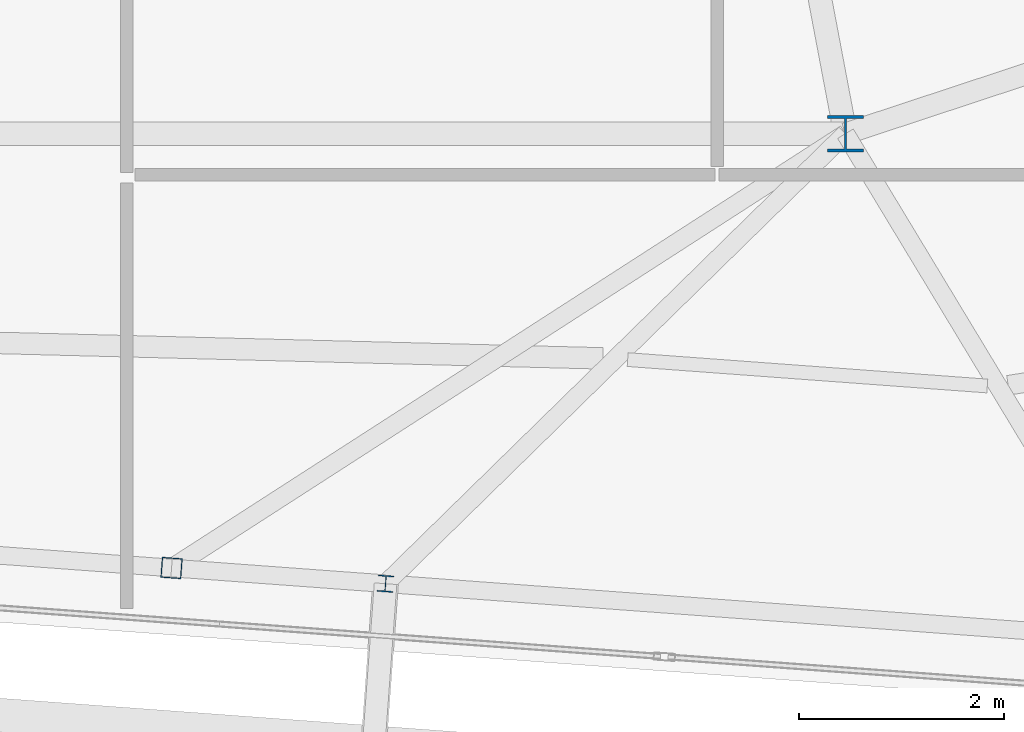
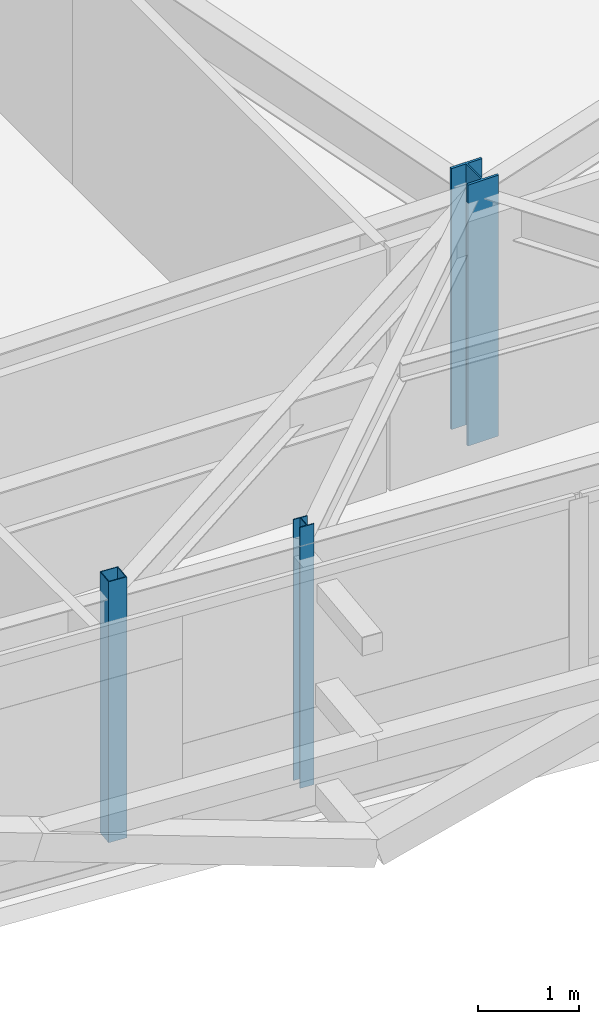
# One storey, part 2 of 34: 3 columns.
"""IFC4 building model written with IfcOpenShell, lengths in metres."""

import ifcopenshell
import ifcopenshell.guid

model = None  # the IFC model being written
_history = None  # IfcOwnerHistory: only IFC2X3 demands one
_inside = {}  # id of a spatial element -> (the spatial element, [elements in it])
_under = {}  # id of a project, library or spatial element -> (it, [spatial elements below it])
_declared = {}  # id of a project -> (the project, [libraries it declares])
_typed = {}  # id of a type object -> (the type object, [elements of that type])
_made_of = {}  # id of a material, layer set ... -> (it, [elements and type objects made of it])


def new_model(schema):
    """Start an empty IFC model of exactly this schema.

    Asked for "IFC4X3", IfcOpenShell would pick the latest addendum, in which some entities
    have other attributes; the version numbers below select the first issue.
    IFC2X3 requires an IfcOwnerHistory on every rooted entity: one is made here for all.
    """
    global model, _history
    if schema == "IFC4X3":
        model = ifcopenshell.file(schema_version=(4, 3, 0, 0))
    else:
        model = ifcopenshell.file(schema=schema)
    _inside.clear()
    _under.clear()
    _declared.clear()
    _typed.clear()
    _made_of.clear()
    _history = None
    if model.schema == "IFC2X3":
        org = make("IfcOrganization", Name="unknown")
        user = make(
            "IfcPersonAndOrganization",
            ThePerson=make("IfcPerson", FamilyName="unknown"),
            TheOrganization=org,
        )
        app = make(
            "IfcApplication",
            ApplicationDeveloper=org,
            Version="unknown",
            ApplicationFullName="unknown",
            ApplicationIdentifier="unknown",
        )
        _history = make(
            "IfcOwnerHistory",
            OwningUser=user,
            OwningApplication=app,
            ChangeAction="ADDED",
            CreationDate=0,
        )
    return model


def make(cls, **values):
    """One entity of the class cls with the attributes given. An attribute that is None is left unset."""
    return model.create_entity(
        cls, **{name: value for name, value in values.items() if value is not None}
    )


def rooted(cls, **values):
    """An entity with a GlobalId (a new one), such as an element, a storey or a relation."""
    return make(cls, GlobalId=ifcopenshell.guid.new(), OwnerHistory=_history, **values)


def si_unit(unit_type, name, prefix=None):
    """IfcSIUnit, for example si_unit("LENGTHUNIT", "METRE", prefix="MILLI")."""
    return make("IfcSIUnit", UnitType=unit_type, Prefix=prefix, Name=name)


def assignment(units):
    """IfcUnitAssignment: the units of a project."""
    return None if units is None else make("IfcUnitAssignment", Units=units)


def point(xyz):
    """IfcCartesianPoint."""
    return None if xyz is None else make("IfcCartesianPoint", Coordinates=xyz)


def direction(xyz):
    """IfcDirection."""
    return None if xyz is None else make("IfcDirection", DirectionRatios=xyz)


def frame(location, z_axis=None, x_axis=None):
    """IfcAxis2Placement3D, a coordinate frame: its origin and axes. An axis left out is left unset."""
    return make(
        "IfcAxis2Placement3D",
        Location=point(location),
        Axis=direction(z_axis),
        RefDirection=direction(x_axis),
    )


def frame_2d(location, x_axis=None):
    """IfcAxis2Placement2D, a coordinate frame in the plane: its origin and x axis."""
    return make(
        "IfcAxis2Placement2D", Location=point(location), RefDirection=direction(x_axis)
    )


def origin():
    """The frame at (0, 0, 0) with its axes left unset."""
    return frame((0.0, 0.0, 0.0))


def origin_2d():
    """The frame at (0, 0) in the plane with its x axis left unset."""
    return frame_2d((0.0, 0.0))


def place(relative_to, where):
    """IfcLocalPlacement: puts the frame where relative to a parent placement (None: the world)."""
    return make(
        "IfcLocalPlacement", PlacementRelTo=relative_to, RelativePlacement=where
    )


def context(
    kind, dimensions, precision=None, world=None, true_north=None, identifier=None
):
    """IfcGeometricRepresentationContext, for example the 3D "Model" context."""
    return make(
        "IfcGeometricRepresentationContext",
        ContextIdentifier=identifier,
        ContextType=kind,
        CoordinateSpaceDimension=dimensions,
        Precision=precision,
        WorldCoordinateSystem=world,
        TrueNorth=true_north,
    )


def subcontext(parent, identifier, kind, view, scale=None):
    """IfcGeometricRepresentationSubContext, for example "Body" below "Model"."""
    return make(
        "IfcGeometricRepresentationSubContext",
        ContextIdentifier=identifier,
        ContextType=kind,
        ParentContext=parent,
        TargetScale=scale,
        TargetView=view,
    )


def project(units=None, contexts=None):
    """IfcProject with its units and contexts."""
    return rooted(
        "IfcProject",
        Name="project",
        RepresentationContexts=contexts,
        UnitsInContext=assignment(units),
    )


def spatial(cls, under=None, at=None, **own):
    """A site, building, storey or space (cls), placed at a placement, below another one or the project."""
    s = rooted(cls, ObjectPlacement=at, **own)
    if under is not None:
        _under.setdefault(under.id(), (under, []))[1].append(s)
    return s


def profile(cls, at=None, kind="AREA", **sizes):
    """A parametric profile (cls). Its sizes go by their IFC names, for example OverallWidth=200.0."""
    return make(cls, ProfileType=kind, Position=at, **sizes)


def hollow_rectangle(**sizes):
    """IfcRectangleHollowProfileDef."""
    return profile("IfcRectangleHollowProfileDef", **sizes)


def i_section(**sizes):
    """IfcIShapeProfileDef."""
    return profile("IfcIShapeProfileDef", **sizes)


def extrude(swept, where, along, depth):
    """IfcExtrudedAreaSolid: the profile swept, set in the frame where, extruded along a direction by depth."""
    return make(
        "IfcExtrudedAreaSolid",
        SweptArea=swept,
        Position=where,
        ExtrudedDirection=direction(along),
        Depth=depth,
    )


def shape(context_of_items, identifier, shape_type, items):
    """IfcShapeRepresentation: the items that make up one representation, for example the "Body"."""
    return make(
        "IfcShapeRepresentation",
        ContextOfItems=context_of_items,
        RepresentationIdentifier=identifier,
        RepresentationType=shape_type,
        Items=items,
    )


def source(mapping_origin, context_of_items, identifier, shape_type, items):
    """IfcRepresentationMap: a shape defined once, which mapped items show again and again."""
    return make(
        "IfcRepresentationMap",
        MappingOrigin=mapping_origin,
        MappedRepresentation=shape(context_of_items, identifier, shape_type, items),
    )


def transform(
    local_origin,
    x_axis=None,
    y_axis=None,
    z_axis=None,
    scale=None,
    scale2=None,
    scale3=None,
    uniform=True,
):
    """IfcCartesianTransformationOperator3D, or its non-uniform kind. x_axis, y_axis, z_axis: its Axis1, 2, 3."""
    if uniform:
        return make(
            "IfcCartesianTransformationOperator3D",
            Axis1=direction(x_axis),
            Axis2=direction(y_axis),
            LocalOrigin=point(local_origin),
            Scale=scale,
            Axis3=direction(z_axis),
        )
    return make(
        "IfcCartesianTransformationOperator3DnonUniform",
        Axis1=direction(x_axis),
        Axis2=direction(y_axis),
        LocalOrigin=point(local_origin),
        Scale=scale,
        Axis3=direction(z_axis),
        Scale2=scale2,
        Scale3=scale3,
    )


def mapped(mapping_source, mapping_target):
    """IfcMappedItem: shows the shape of a source again, moved by a transform."""
    return make(
        "IfcMappedItem", MappingSource=mapping_source, MappingTarget=mapping_target
    )


def material(Name=None, Category=None):
    """IfcMaterial."""
    return make("IfcMaterial", Name=Name, Category=Category)


def material_profile(
    of_material, cross_section, Name=None, Category=None, Priority=None
):
    """IfcMaterialProfile: a cross section and its material."""
    return make(
        "IfcMaterialProfile",
        Name=Name,
        Material=of_material,
        Profile=cross_section,
        Priority=Priority,
        Category=Category,
    )


def profile_set(profiles, Name=None, composite=None):
    """IfcMaterialProfileSet."""
    return make(
        "IfcMaterialProfileSet",
        Name=Name,
        MaterialProfiles=profiles,
        CompositeProfile=composite,
    )


def made_of(thing, what):
    """Note that an element or type object is made of a material, layer set ...; save() writes the relation."""
    if what is not None:
        _made_of.setdefault(what.id(), (what, []))[1].append(thing)
    return thing


def type_object(cls, material=None, **own):
    """A type object (cls), such as IfcWallType, which elements share."""
    return made_of(rooted(cls, **own), material)


def element(
    cls,
    number,
    at=None,
    inside=None,
    cuts=None,
    type_object=None,
    material=None,
    context=None,
    identifier="Body",
    shape_type=None,
    held_by="IfcProductDefinitionShape",
    body=None,
    shapes=None,
    **own,
):
    """One element of the class cls, such as IfcWall. Its Tag is "e" and its number.

    at: its placement. inside: the storey or other place that contains it. cuts: it is an
    opening in that element (IfcRelVoidsElement). A single representation is given by context,
    identifier, shape_type and body (its items); several are given by shapes. held_by: the class
    of the entity that holds the representations. save() writes the other relations.
    """
    e = rooted(cls, Tag="e%d" % number, ObjectPlacement=at, **own)
    if body is not None:
        shapes = [shape(context, identifier, shape_type, body)]
    if shapes is not None:
        e.Representation = make(held_by, Representations=shapes)
    if inside is not None:
        _inside.setdefault(inside.id(), (inside, []))[1].append(e)
    if cuts is not None:
        rooted(
            "IfcRelVoidsElement", RelatingBuildingElement=cuts, RelatedOpeningElement=e
        )
    if type_object is not None:
        _typed.setdefault(type_object.id(), (type_object, []))[1].append(e)
    return made_of(e, material)


def aggregate(whole, parts):
    """IfcRelAggregates: a whole, such as a stair, and the parts it consists of."""
    return rooted("IfcRelAggregates", RelatingObject=whole, RelatedObjects=parts)


def save(model, path):
    """Write the relations noted so far, then the file.

    IfcRelAggregates (storeys below a building ...), IfcRelContainedInSpatialStructure (elements
    in a storey), IfcRelDefinesByType, IfcRelAssociatesMaterial and IfcRelDeclares: one each for
    every whole, place, type object, material and project.
    """
    for whole, parts in _under.values():
        aggregate(whole, parts)
    for where, things in _inside.values():
        rooted(
            "IfcRelContainedInSpatialStructure",
            RelatedElements=things,
            RelatingStructure=where,
        )
    for kind, things in _typed.values():
        rooted("IfcRelDefinesByType", RelatedObjects=things, RelatingType=kind)
    for what, things in _made_of.values():
        rooted("IfcRelAssociatesMaterial", RelatedObjects=things, RelatingMaterial=what)
    for by, libraries in _declared.values():
        rooted("IfcRelDeclares", RelatingContext=by, RelatedDefinitions=libraries)
    model.write(path)


model = new_model("IFC4")

# Units and contexts
model_context = context("Model", 3, precision=1e-05, world=origin(), true_north=direction((0.0, 1.0)))
body_context = subcontext(model_context, "Body", "Model", "MODEL_VIEW")
ifc_project = project(units=[si_unit("LENGTHUNIT", "METRE"), si_unit("AREAUNIT", "SQUARE_METRE"), si_unit("VOLUMEUNIT", "CUBIC_METRE"), si_unit("PLANEANGLEUNIT", "RADIAN"), si_unit("MASSUNIT", "GRAM", prefix="KILO")], contexts=[model_context])

# Site, building, storey
site_placement = place(None, origin())
site = spatial("IfcSite", under=ifc_project, at=site_placement, CompositionType="ELEMENT")
building_placement = place(site_placement, origin())
building = spatial("IfcBuilding", under=site, at=building_placement, Name="Taldren Reach Tower", CompositionType="ELEMENT")
storey_placement = place(building_placement, frame((0.0, 0.0, 246.050048828125)))
storey = spatial("IfcBuildingStorey", under=building, at=storey_placement, Name="L75", CompositionType="ELEMENT", Elevation=246.050048828125)

# Columns
ifc_material_1 = material(Name="Steel Gr 350 (350PLUS)", Category="steel")
ifc_material_profile_1 = material_profile(ifc_material_1, i_section(OverallWidth=0.35009765625, OverallDepth=0.35595703125, WebThickness=0.01806640625, FlangeThickness=0.028076171875, at=origin_2d()), Name="350WC197")
ifc_profile_set_1 = profile_set([ifc_material_profile_1], Name="Steel Gr 350 (350PLUS)")
column_type_1 = type_object("IfcColumnType", Name="COL-WC350", PredefinedType="COLUMN", material=ifc_profile_set_1)
shared_shape_1 = source(origin(), body_context, "Body", "SweptSolid", [
    extrude(i_section(OverallWidth=0.35009765625, OverallDepth=0.35595703125, WebThickness=0.01806640625, FlangeThickness=0.028076171875, at=origin_2d()), origin(), (0.0, 0.0, 1.0), 3.14990234375),
])
column_1_placement = place(storey_placement, frame((42.0, 9.199951171875, 0.0), z_axis=(0.0, 0.0, 1.0), x_axis=(1.0, 0.0, 0.0)))
element("IfcColumn", 1, at=column_1_placement, inside=storey, type_object=column_type_1, Name="Mega column MC-PJE L75", PredefinedType="COLUMN", context=body_context, shape_type="MappedRepresentation", body=[
    mapped(shared_shape_1, transform((0.0, 0.0, 0.0), scale=1.0)),
])
ifc_material_2 = material(Name="Steel Gr 350 (C350L0)", Category="steel")
ifc_material_profile_2 = material_profile(ifc_material_2, hollow_rectangle(XDim=0.199951171875, YDim=0.199951171875, WallThickness=0.009033203125, at=origin_2d()), Name="200x200x9.0SHS")
ifc_profile_set_2 = profile_set([ifc_material_profile_2], Name="Steel Gr 350 (C350L0)")
column_type_2 = type_object("IfcColumnType", Name="COL-SHS200", PredefinedType="COLUMN", material=ifc_profile_set_2)
shared_shape_2 = source(origin(), body_context, "Body", "SweptSolid", [
    extrude(hollow_rectangle(XDim=0.199951171875, YDim=0.199951171875, WallThickness=0.009033203125, at=origin_2d()), origin(), (0.0, 0.0, 1.0), 3.14990234375),
])
column_2_placement = place(storey_placement, frame((35.43603515625, 4.9697265625, 0.0), z_axis=(0.0, 0.0, 1.0), x_axis=(0.997314477224, -0.073238197128, 0.0)))
element("IfcColumn", 2, at=column_2_placement, inside=storey, type_object=column_type_2, Name="Block B5 perimeter column PJ2 L75", PredefinedType="COLUMN", context=body_context, shape_type="MappedRepresentation", body=[
    mapped(shared_shape_2, transform((0.0, 0.0, 0.0), scale=1.0)),
])
ifc_material_profile_3 = material_profile(ifc_material_1, i_section(OverallWidth=0.154052734375, OverallDepth=0.162109375, WebThickness=0.008056640625, FlangeThickness=0.011474609375, at=origin_2d()), Name="150UC37.2")
ifc_profile_set_3 = profile_set([ifc_material_profile_3], Name="Steel Gr 350 (350PLUS)")
column_type_3 = type_object("IfcColumnType", Name="COL-UC150", PredefinedType="COLUMN", material=ifc_profile_set_3)
shared_shape_3 = source(origin(), body_context, "Body", "SweptSolid", [
    extrude(i_section(OverallWidth=0.154052734375, OverallDepth=0.162109375, WebThickness=0.008056640625, FlangeThickness=0.011474609375, at=origin_2d()), origin(), (0.0, 0.0, 1.0), 3.14990234375),
])
column_3_placement = place(storey_placement, frame((37.5205078125, 4.81689453125, 0.0), z_axis=(0.0, 0.0, 1.0), x_axis=(0.997314477224, -0.073238197128, 0.0)))
element("IfcColumn", 3, at=column_3_placement, inside=storey, type_object=column_type_3, Name="Block B5 perimeter column S4 L75", PredefinedType="COLUMN", context=body_context, shape_type="MappedRepresentation", body=[
    mapped(shared_shape_3, transform((0.0, 0.0, 0.0), scale=1.0)),
])

save(model, "model.ifc")
